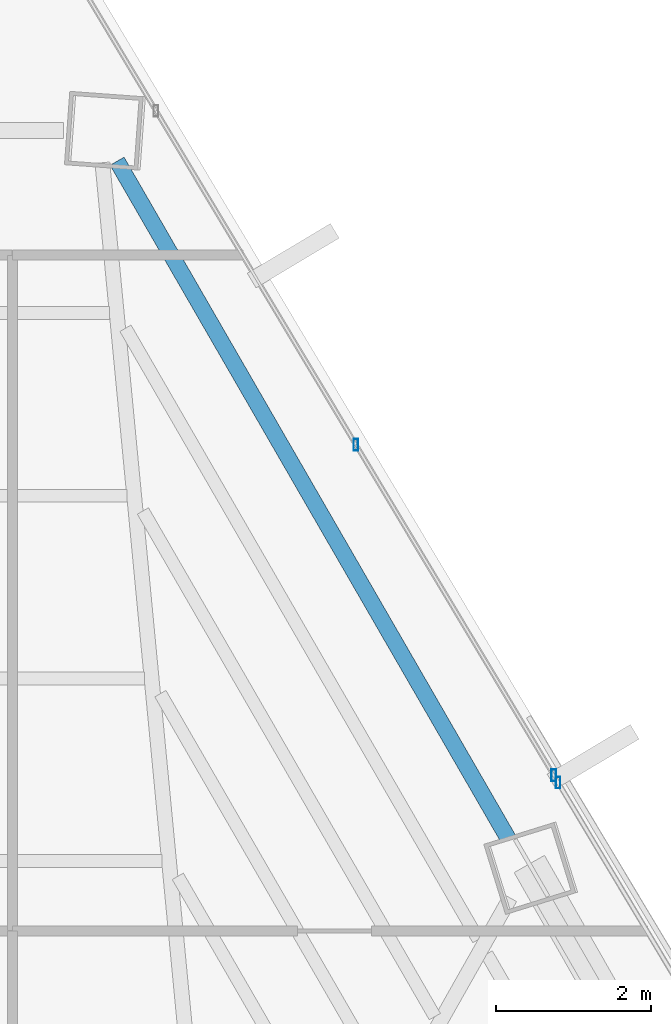
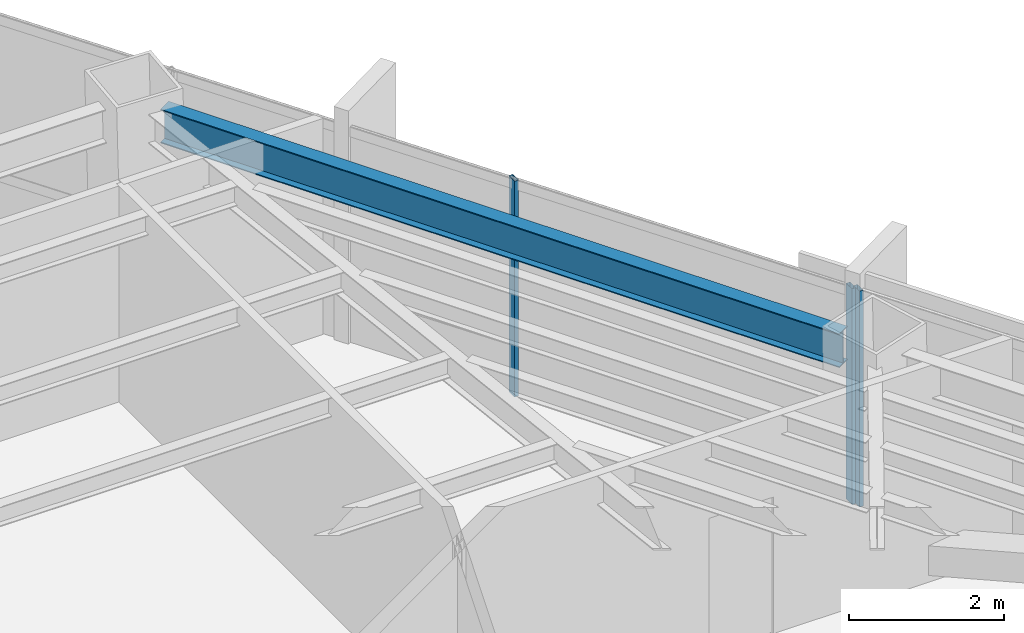
# One storey, part 31 of 41: 3 members, 1 beam, 2 elements without a shape of their own.
"""IFC4 building model written with IfcOpenShell, lengths in metres."""

from ifc_helpers import new_model, si_unit, direction, frame, origin, origin_2d, place, context, subcontext, project, spatial, hollow_rectangle, i_section, extrude, source, transform, mapped, material, material_profile, profile_set, type_object, type_shapes, element, aggregate, save


model = new_model("IFC4")

# Units and contexts
model_context = context("Model", 3, precision=1e-05, world=origin(), true_north=direction((0.0, 1.0)))
body_context = subcontext(model_context, "Body", "Model", "MODEL_VIEW")
ifc_project = project(units=[si_unit("LENGTHUNIT", "METRE"), si_unit("AREAUNIT", "SQUARE_METRE"), si_unit("VOLUMEUNIT", "CUBIC_METRE"), si_unit("PLANEANGLEUNIT", "RADIAN"), si_unit("MASSUNIT", "GRAM", prefix="KILO")], contexts=[model_context])

# Site, building, storey
site_placement = place(None, origin())
site = spatial("IfcSite", under=ifc_project, at=site_placement, CompositionType="ELEMENT")
building_placement = place(site_placement, origin())
building = spatial("IfcBuilding", under=site, at=building_placement, Name="Caelisora Broadcast Tower", CompositionType="ELEMENT")
storey_placement = place(building_placement, frame((0.0, 0.0, 165.800048828125)))
storey = spatial("IfcBuildingStorey", under=building, at=storey_placement, Name="L43", CompositionType="ELEMENT", Elevation=165.800048828125)

# Beam
ifc_material_1 = material(Name="Steel Grade 350 (AS/NZS 3679.1)", Category="steel")
ifc_material_profile_1 = material_profile(ifc_material_1, i_section(OverallWidth=0.208984375, OverallDepth=0.532958984375, WebThickness=0.01025390625, FlangeThickness=0.015625, at=origin_2d()), Name="Steel Grade 350 (AS/NZS 3679.1)")
ifc_profile_set_1 = profile_set([ifc_material_profile_1], Name="Steel Grade 350 (AS/NZS 3679.1)")
beam_type = type_object("IfcBeamType", Name="PG05", PredefinedType="BEAM", material=ifc_profile_set_1)
shared_shape_1 = source(origin(), body_context, "Body", "SweptSolid", [
    extrude(i_section(OverallWidth=0.208984375, OverallDepth=0.532958984375, WebThickness=0.01025390625, FlangeThickness=0.015625, at=origin_2d()), origin(), (0.0, 0.0, 1.0), 10.1083984375),
])
type_shapes(beam_type, [shared_shape_1])
beam_placement = place(storey_placement, frame((49.207275390625, 37.369140625, 3.133544921875), z_axis=(-0.499999119609, 0.866025912078, 0.0), x_axis=(-0.866025912078, -0.499999119609, 0.0)))
element("IfcBeam", 1, at=beam_placement, inside=storey, type_object=beam_type, Name="L43 beam PG05", PredefinedType="BEAM", context=body_context, shape_type="MappedRepresentation", body=[
    mapped(shared_shape_1, transform((0.0, 0.0, 0.0), scale=1.0)),
])

# Curtain wall, members
ifc_material_2 = material(Name="Unitised Aluminium and Low-E Glass Curtain Wall", Category="glass")
curtain_wall_type_1 = type_object("IfcCurtainWallType", Name="CW-Z3", PredefinedType="NOTDEFINED", material=ifc_material_2)
curtain_wall_1_placement = place(storey_placement, origin())
curtain_wall_1 = element("IfcCurtainWall", 2, at=curtain_wall_1_placement, inside=storey, type_object=curtain_wall_type_1, Name="L43 curtain wall CW-Z3", PredefinedType="NOTDEFINED")
ifc_material_3 = material(Name="Aluminium 6063-T6 Anodised Terracotta Bronze", Category="aluminium")
ifc_material_profile_2 = material_profile(ifc_material_3, hollow_rectangle(XDim=0.06005859375, YDim=0.14990234375, WallThickness=0.00341796875, at=origin_2d()), Name="Aluminium 6063-T6 Anodised Terracotta Bronze")
ifc_profile_set_2 = profile_set([ifc_material_profile_2], Name="Aluminium 6063-T6 Anodised Terracotta Bronze")
member_type = type_object("IfcMemberType", Name="CWM-03", PredefinedType="MULLION", material=ifc_profile_set_2)
shared_shape_2 = source(origin(), body_context, "Body", "SweptSolid", [
    extrude(hollow_rectangle(XDim=0.06005859375, YDim=0.14990234375, WallThickness=0.00341796875, at=origin_2d()), origin(), (0.0, 0.0, 1.0), 3.39990234375),
])
type_shapes(member_type, [shared_shape_2])
member_1_placement = place(storey_placement, frame((47.238037109375, 42.460205078125, 0.0), z_axis=(0.0, 0.0, 1.0), x_axis=(1.0, 0.0, 0.0)))
member_1 = element("IfcMember", 3, at=member_1_placement, type_object=member_type, Name="L43-CW-B01 mullion #2", PredefinedType="MULLION", context=body_context, shape_type="MappedRepresentation", body=[
    mapped(shared_shape_2, transform((0.0, 0.0, 0.0), scale=1.0)),
])
member_2_placement = place(storey_placement, frame((49.79443359375, 38.189697265625, 0.0), z_axis=(0.0, 0.0, 1.0), x_axis=(1.0, 0.0, 0.0)))
member_2 = element("IfcMember", 4, at=member_2_placement, type_object=member_type, Name="L43-CW-B01 mullion #3", PredefinedType="MULLION", context=body_context, shape_type="MappedRepresentation", body=[
    mapped(shared_shape_2, transform((0.0, 0.0, 0.0), scale=1.0)),
])
aggregate(curtain_wall_1, [member_1, member_2])

# Curtain wall, member
ifc_material_4 = material(Name="Unitised Aluminium Insulated Shadow-Box Spandrel Curtain Wall", Category="aluminium")
curtain_wall_type_2 = type_object("IfcCurtainWallType", Name="CW-SP2", PredefinedType="NOTDEFINED", material=ifc_material_4)
curtain_wall_2_placement = place(storey_placement, origin())
curtain_wall_2 = element("IfcCurtainWall", 5, at=curtain_wall_2_placement, inside=storey, type_object=curtain_wall_type_2, Name="L43 curtain wall CW-SP2", PredefinedType="NOTDEFINED")
member_3_placement = place(storey_placement, frame((49.850830078125, 38.09521484375, 0.0), z_axis=(0.0, 0.0, 1.0), x_axis=(1.0, 0.0, 0.0)))
member_3 = element("IfcMember", 6, at=member_3_placement, type_object=member_type, Name="L43-CW-B02 mullion #0", PredefinedType="MULLION", context=body_context, shape_type="MappedRepresentation", body=[
    mapped(shared_shape_2, transform((0.0, 0.0, 0.0), scale=1.0)),
])
aggregate(curtain_wall_2, [member_3])

save(model, "model.ifc")
